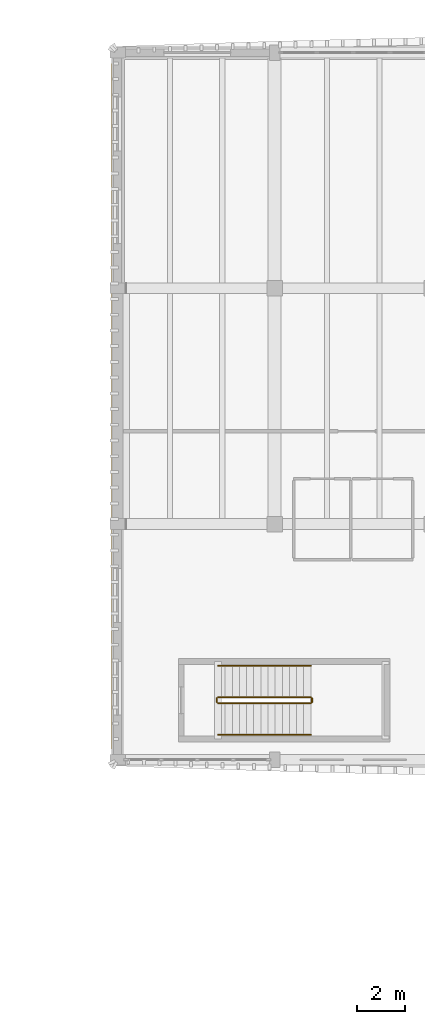
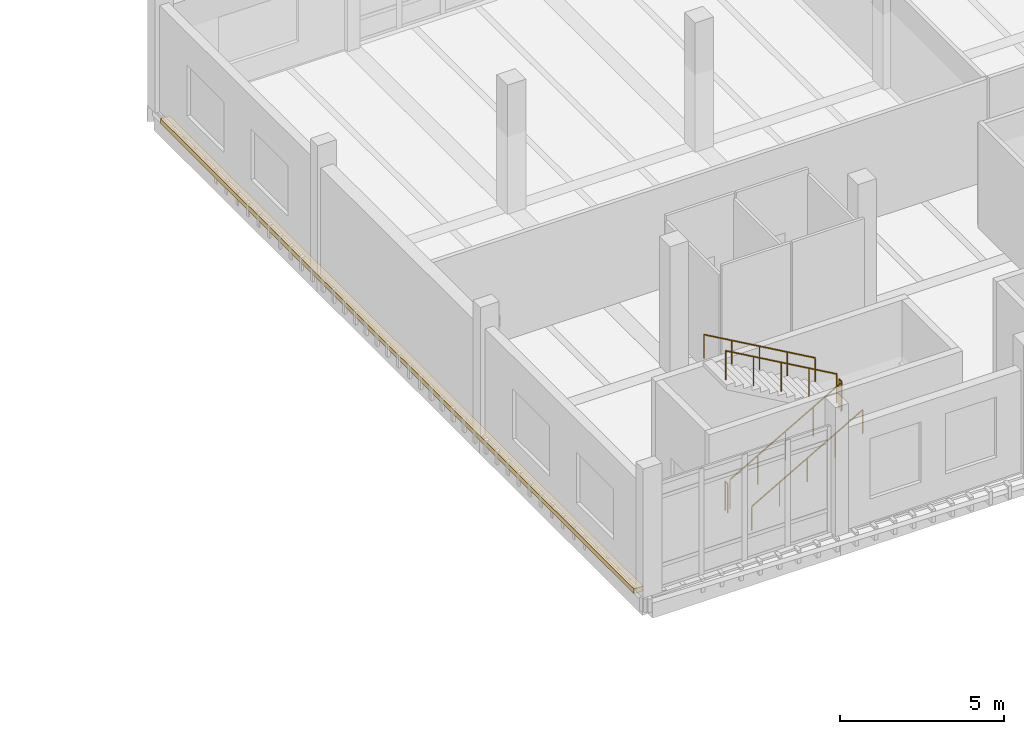
# One storey, part 65 of 76: 6 railings, 1 covering.
"""IFC4 building model written with IfcOpenShell, lengths in metres."""

from ifc_helpers import new_model, si_unit, direction, frame, origin, origin_2d, place, context, subcontext, project, spatial, polyline, circle, outline, extrude, material, layer, layer_set, type_object, element, save


model = new_model("IFC4")

# Units and contexts
model_context = context("Model", 3, precision=1e-05, world=origin(), true_north=direction((0.0, 1.0)))
body_context = subcontext(model_context, "Body", "Model", "MODEL_VIEW")
ifc_project = project(units=[si_unit("LENGTHUNIT", "METRE"), si_unit("AREAUNIT", "SQUARE_METRE"), si_unit("VOLUMEUNIT", "CUBIC_METRE"), si_unit("PLANEANGLEUNIT", "RADIAN"), si_unit("MASSUNIT", "GRAM", prefix="KILO")], contexts=[model_context])

# Site, building, storey
site_placement = place(None, origin())
site = spatial("IfcSite", under=ifc_project, at=site_placement, CompositionType="ELEMENT")
building_placement = place(site_placement, origin())
building = spatial("IfcBuilding", under=site, at=building_placement, Name="Dornvale Research Institute", CompositionType="ELEMENT")
storey_placement = place(building_placement, frame((0.0, 0.0, 15.0)))
storey = spatial("IfcBuildingStorey", under=building, at=storey_placement, Name="L03", CompositionType="ELEMENT", Elevation=15.0)

# Covering
ifc_material_1 = material(Name="Polychrome Glazed Terracotta Visor Rib Ceramic", Category="masonry")
ifc_layer_1 = layer(ifc_material_1, 0.179931640625)
ifc_layer_set_1 = layer_set([ifc_layer_1], Name="Polychrome Glazed Terracotta Visor Rib Ceramic")
covering_type = type_object("IfcCoveringType", Name="Covering_VisorBrim_LowShelf", PredefinedType="CLADDING", material=ifc_layer_set_1)
covering_placement = place(storey_placement, frame((0.0, 0.0, -0.260009765625)))
element("IfcCovering", 1, at=covering_placement, inside=storey, type_object=covering_type, Name="L03 V4 canted bowed-brim visor hood #54", PredefinedType="CLADDING", context=body_context, shape_type="SweptSolid", body=[
    extrude(outline(polyline([(118.540771484375, 121.64990234375), (118.860107421875, 121.64990234375), (118.860107421875, 92.85009765625), (118.540771484375, 92.85009765625), (118.540771484375, 121.64990234375)])), origin(), (0.0, 0.0, 1.0), 0.179931640625),
])

# Railings
ifc_material_2 = material(Name="Galvanized Painted Tubular Steel Stair Rail", Category="steel")
ifc_layer_2 = layer(ifc_material_2, 0.050048828125)
ifc_layer_set_2 = layer_set([ifc_layer_2], Name="Galvanized Painted Tubular Steel Stair Rail")
railing_type_1 = type_object("IfcRailingType", Name="Railing_Stair_Guard_1100", PredefinedType="GUARDRAIL", material=ifc_layer_set_2)
railing_1_placement = place(storey_placement, frame((123.02001953125, 94.77001953125, 0.17138671875)))
element("IfcRailing", 2, at=railing_1_placement, inside=storey, type_object=railing_type_1, Name="L03 ST-3 stair guard 1", PredefinedType="GUARDRAIL", context=body_context, shape_type="SweptSolid", body=[
    extrude(circle(Radius=0.02392578125, at=origin_2d()), frame((0.0, 0.0, 1.076171875), z_axis=(0.868243142124, 0.0, 0.496138938357), x_axis=(0.0, 1.0, 0.0)), (0.0, 0.0, 1.0), 4.49169921875),
    extrude(circle(Radius=0.02099609375, at=origin_2d()), origin(), (0.0, 0.0, 1.0), 1.052001953125),
    extrude(circle(Radius=0.02099609375, at=origin_2d()), frame((0.97509765625, 0.0, 0.55712890625)), (0.0, 0.0, 1.0), 1.052001953125),
    extrude(circle(Radius=0.02099609375, at=origin_2d()), frame((1.949951171875, 0.0, 1.1142578125)), (0.0, 0.0, 1.0), 1.052001953125),
    extrude(circle(Radius=0.02099609375, at=origin_2d()), frame((2.9248046875, 0.0, 1.67138671875)), (0.0, 0.0, 1.0), 1.052001953125),
    extrude(circle(Radius=0.02099609375, at=origin_2d()), frame((3.89990234375, 0.0, 2.228515625)), (0.0, 0.0, 1.0), 1.052001953125),
])
railing_2_placement = place(storey_placement, frame((126.969970703125, 94.820068359375, 2.39990234375)))
element("IfcRailing", 3, at=railing_2_placement, inside=storey, type_object=railing_type_1, Name="L03 ST-3 stair guard 2", PredefinedType="GUARDRAIL", context=body_context, shape_type="SweptSolid", body=[
    extrude(circle(Radius=0.02392578125, at=origin_2d()), frame((0.0, 0.0, 1.076171875), z_axis=(0.0, 1.0, 0.0), x_axis=(-1.0, 0.0, 0.0)), (0.0, 0.0, 1.0), 0.159912109375),
    extrude(circle(Radius=0.02099609375, at=origin_2d()), origin(), (0.0, 0.0, 1.0), 1.052001953125),
    extrude(circle(Radius=0.02099609375, at=origin_2d()), frame((0.0, 0.159912109375, 0.0)), (0.0, 0.0, 1.0), 1.052001953125),
])
railing_3_placement = place(storey_placement, frame((126.919921875, 95.030029296875, 2.571533203125)))
element("IfcRailing", 4, at=railing_3_placement, inside=storey, type_object=railing_type_1, Name="L03 ST-3 stair guard 3", PredefinedType="GUARDRAIL", context=body_context, shape_type="SweptSolid", body=[
    extrude(circle(Radius=0.02392578125, at=origin_2d()), frame((0.0, 0.0, 1.076171875), z_axis=(-0.868243142124, 0.0, 0.496138938357), x_axis=(0.0, -1.0, 0.0)), (0.0, 0.0, 1.0), 4.49169921875),
    extrude(circle(Radius=0.02099609375, at=origin_2d()), origin(), (0.0, 0.0, 1.0), 1.052001953125),
    extrude(circle(Radius=0.02099609375, at=origin_2d()), frame((-0.97509765625, 0.0, 0.55712890625)), (0.0, 0.0, 1.0), 1.052001953125),
    extrude(circle(Radius=0.02099609375, at=origin_2d()), frame((-1.949951171875, 0.0, 1.1142578125)), (0.0, 0.0, 1.0), 1.052001953125),
    extrude(circle(Radius=0.02099609375, at=origin_2d()), frame((-2.9248046875, 0.0, 1.67138671875)), (0.0, 0.0, 1.0), 1.052001953125),
    extrude(circle(Radius=0.02099609375, at=origin_2d()), frame((-3.89990234375, 0.0, 2.228515625)), (0.0, 0.0, 1.0), 1.052001953125),
])
railing_4_placement = place(storey_placement, frame((122.969970703125, 94.820068359375, 0.0)))
element("IfcRailing", 5, at=railing_4_placement, inside=storey, type_object=railing_type_1, Name="L03 ST-3 stair guard 4", PredefinedType="GUARDRAIL", context=body_context, shape_type="SweptSolid", body=[
    extrude(circle(Radius=0.02392578125, at=origin_2d()), frame((0.0, 0.0, 1.076171875), z_axis=(0.0, 1.0, 0.0), x_axis=(-1.0, 0.0, 0.0)), (0.0, 0.0, 1.0), 0.159912109375),
    extrude(circle(Radius=0.02099609375, at=origin_2d()), origin(), (0.0, 0.0, 1.0), 1.052001953125),
    extrude(circle(Radius=0.02099609375, at=origin_2d()), frame((0.0, 0.159912109375, 0.0)), (0.0, 0.0, 1.0), 1.052001953125),
])
ifc_material_3 = material(Name="Galvanized Painted Tubular Steel Stair Rail", Category="steel")
ifc_layer_3 = layer(ifc_material_3, 0.044921875)
ifc_layer_set_3 = layer_set([ifc_layer_3], Name="Galvanized Painted Tubular Steel Stair Rail")
railing_type_2 = type_object("IfcRailingType", Name="Railing_Stair_Handrail_900", PredefinedType="HANDRAIL", material=ifc_layer_set_3)
railing_5_placement = place(storey_placement, frame((123.02001953125, 93.449951171875, 0.17138671875)))
element("IfcRailing", 6, at=railing_5_placement, inside=storey, type_object=railing_type_2, Name="L03 ST-3 stair handrail 1", PredefinedType="HANDRAIL", context=body_context, shape_type="SweptSolid", body=[
    extrude(circle(Radius=0.02392578125, at=origin_2d()), frame((0.0, 0.0, 0.8759765625), z_axis=(0.868243142124, 0.0, 0.496138938357), x_axis=(0.0, 1.0, 0.0)), (0.0, 0.0, 1.0), 4.49169921875),
    extrude(circle(Radius=0.02099609375, at=origin_2d()), origin(), (0.0, 0.0, 1.0), 0.851806640625),
    extrude(circle(Radius=0.02099609375, at=origin_2d()), frame((0.97509765625, 0.0, 0.55712890625)), (0.0, 0.0, 1.0), 0.851806640625),
    extrude(circle(Radius=0.02099609375, at=origin_2d()), frame((1.949951171875, 0.0, 1.1142578125)), (0.0, 0.0, 1.0), 0.851806640625),
    extrude(circle(Radius=0.02099609375, at=origin_2d()), frame((2.9248046875, 0.0, 1.67138671875)), (0.0, 0.0, 1.0), 0.851806640625),
    extrude(circle(Radius=0.02099609375, at=origin_2d()), frame((3.89990234375, 0.0, 2.228515625)), (0.0, 0.0, 1.0), 0.851806640625),
])
railing_6_placement = place(storey_placement, frame((126.919921875, 96.35009765625, 2.571533203125)))
element("IfcRailing", 7, at=railing_6_placement, inside=storey, type_object=railing_type_2, Name="L03 ST-3 stair handrail 2", PredefinedType="HANDRAIL", context=body_context, shape_type="SweptSolid", body=[
    extrude(circle(Radius=0.02392578125, at=origin_2d()), frame((0.0, 0.0, 0.8759765625), z_axis=(-0.868243142124, 0.0, 0.496138938357), x_axis=(0.0, -1.0, 0.0)), (0.0, 0.0, 1.0), 4.49169921875),
    extrude(circle(Radius=0.02099609375, at=origin_2d()), origin(), (0.0, 0.0, 1.0), 0.851806640625),
    extrude(circle(Radius=0.02099609375, at=origin_2d()), frame((-0.97509765625, 0.0, 0.55712890625)), (0.0, 0.0, 1.0), 0.851806640625),
    extrude(circle(Radius=0.02099609375, at=origin_2d()), frame((-1.949951171875, 0.0, 1.1142578125)), (0.0, 0.0, 1.0), 0.851806640625),
    extrude(circle(Radius=0.02099609375, at=origin_2d()), frame((-2.9248046875, 0.0, 1.67138671875)), (0.0, 0.0, 1.0), 0.851806640625),
    extrude(circle(Radius=0.02099609375, at=origin_2d()), frame((-3.89990234375, 0.0, 2.228515625)), (0.0, 0.0, 1.0), 0.851806640625),
])

save(model, "model.ifc")
